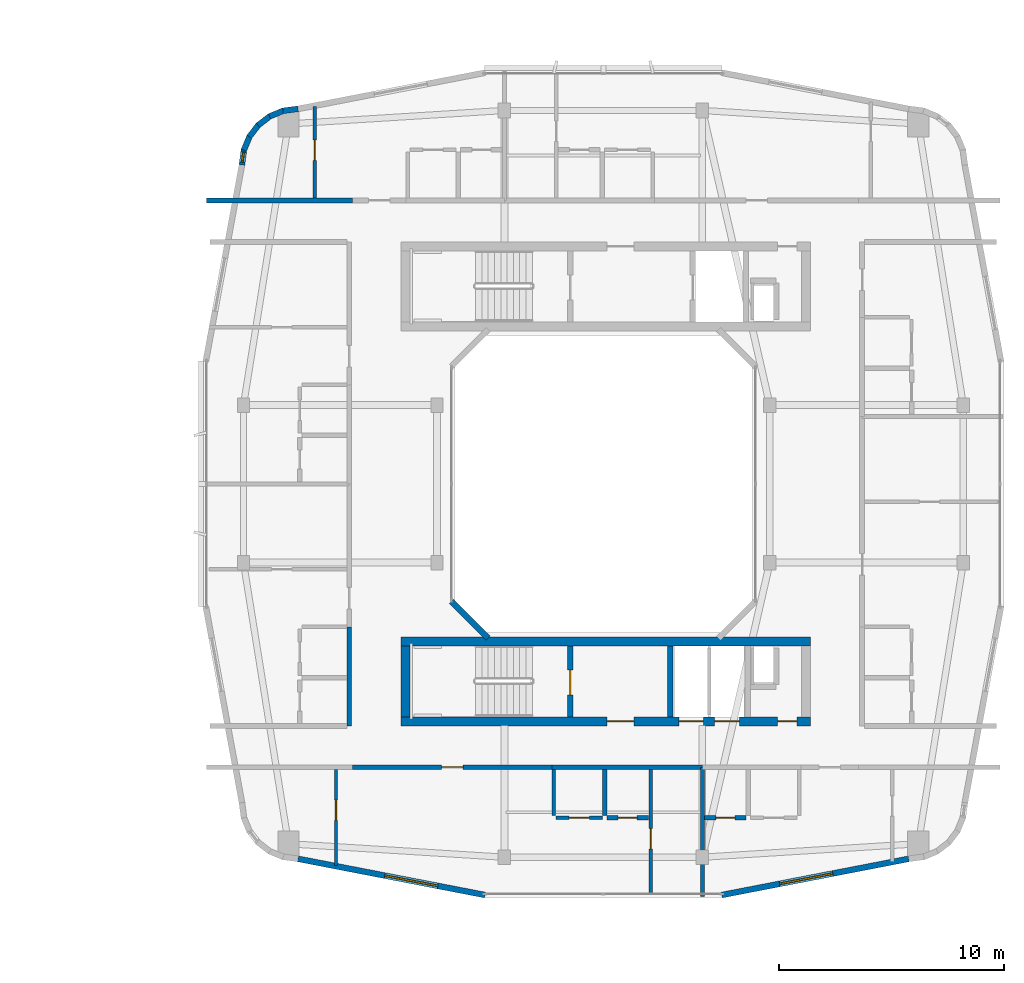
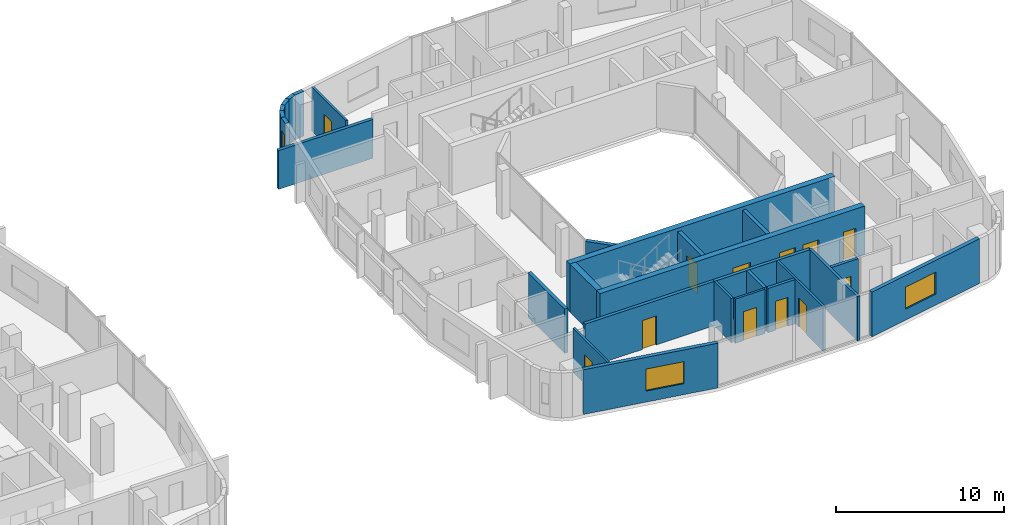
# One storey, part 17 of 26: 27 walls, 12 doors, 3 windows, 15 openings.
"""IFC4 building model written with IfcOpenShell, lengths in metres."""

from ifc_helpers import new_model, si_unit, derived_unit, direction, frame, frame_2d, origin, place, context, subcontext, project, spatial, rectangle, extrude, material, layer, layer_set, type_object, element, fill, save


model = new_model("IFC4")

# Units and contexts
model_context = context("Model", 3, precision=1e-05, world=origin(), true_north=direction((0.0, 1.0)))
body_context = subcontext(model_context, "Body", "Model", "MODEL_VIEW")
ifc_project = project(units=[si_unit("LENGTHUNIT", "METRE"), si_unit("AREAUNIT", "SQUARE_METRE"), si_unit("VOLUMEUNIT", "CUBIC_METRE"), si_unit("PLANEANGLEUNIT", "RADIAN"), si_unit("MASSUNIT", "GRAM", prefix="KILO"), derived_unit("THERMALTRANSMITTANCEUNIT", [(si_unit("POWERUNIT", "WATT"), 1), (si_unit("LENGTHUNIT", "METRE"), -2), (si_unit("THERMODYNAMICTEMPERATUREUNIT", "KELVIN"), -1)])], contexts=[model_context])

# Site, building, storey
site_placement = place(None, origin())
site = spatial("IfcSite", under=ifc_project, at=site_placement, CompositionType="ELEMENT")
building_placement = place(site_placement, origin())
building = spatial("IfcBuilding", under=site, at=building_placement, Name="Kivonza Crest Hotel", CompositionType="ELEMENT")
storey_placement = place(building_placement, frame((0.0, 0.0, 127.5)))
storey = spatial("IfcBuildingStorey", under=building, at=storey_placement, Name="L34", CompositionType="ELEMENT", Elevation=127.5)

# Walls
ifc_material_1 = material(Name="High-density acoustic masonry inter-tenancy wall", Category="masonry")
ifc_layer_1 = layer(ifc_material_1, 0.179931640625)
ifc_layer_set_1 = layer_set([ifc_layer_1], Name="High-density acoustic masonry inter-tenancy wall")
wall_type_1 = type_object("IfcWallType", Name="WL-ACOU-180", PredefinedType="SOLIDWALL", material=ifc_layer_set_1)
wall_1_placement = place(storey_placement, frame((81.39990234375, 6.659912109375, 0.0), z_axis=(0.0, 0.0, 1.0), x_axis=(0.0, 1.0, 0.0)))
element("IfcWall", 1, at=wall_1_placement, inside=storey, type_object=wall_type_1, Name="L34 interior partition WA-L34-T2S-DIV1", PredefinedType="SOLIDWALL", context=body_context, shape_type="SweptSolid", body=[
    extrude(rectangle(XDim=5.739990234375, YDim=0.179931640625, at=frame_2d((2.8701171875, 0.0))), origin(), (0.0, 0.0, 1.0), 3.219970703125),
])
ifc_material_2 = material(Name="Autoclaved aerated concrete blockwork", Category="masonry")
ifc_layer_2 = layer(ifc_material_2, 0.219970703125)
ifc_layer_set_2 = layer_set([ifc_layer_2], Name="Autoclaved aerated concrete blockwork")
wall_type_2 = type_object("IfcWallType", Name="WL-ACOU-220", PredefinedType="SOLIDWALL", material=ifc_layer_set_2)
wall_2_placement = place(storey_placement, frame((59.360107421875, 37.60009765625, 0.0), z_axis=(0.0, 0.0, 1.0), x_axis=(1.0, 0.0, 0.0)))
element("IfcWall", 2, at=wall_2_placement, inside=storey, type_object=wall_type_2, Name="L34 interior partition WA-L34-A01-LCORR", PredefinedType="SOLIDWALL", context=body_context, shape_type="SweptSolid", body=[
    extrude(rectangle(XDim=6.489990234375, YDim=0.219970703125, at=frame_2d((3.2451171875, 0.0))), origin(), (0.0, 0.0, 1.0), 2.81494140625),
])
wall_3_placement = place(storey_placement, frame((74.719970703125, 12.39990234375, 0.0), z_axis=(0.0, 0.0, 1.0), x_axis=(1.0, 0.0, 0.0)))
element("IfcWall", 3, at=wall_3_placement, inside=storey, type_object=wall_type_2, Name="L34 interior partition WA-L34-A03-RCORR", PredefinedType="SOLIDWALL", context=body_context, shape_type="SweptSolid", body=[
    extrude(rectangle(XDim=6.679931640625, YDim=0.219970703125, at=frame_2d((3.33984375, 0.0))), origin(), (0.0, 0.0, 1.0), 3.219970703125),
])

# Wall, opening, door
wall_4_placement = place(storey_placement, frame((65.85009765625, 12.39990234375, 0.0), z_axis=(0.0, 0.0, 1.0), x_axis=(1.0, 0.0, 0.0)))
wall_4 = element("IfcWall", 4, at=wall_4_placement, inside=storey, type_object=wall_type_2, Name="L34 interior partition WA-L34-A03-MCORR", PredefinedType="SOLIDWALL", context=body_context, shape_type="SweptSolid", body=[
    extrude(rectangle(XDim=8.869873046875, YDim=0.219970703125, at=frame_2d((4.43505859375, 0.0))), origin(), (0.0, 0.0, 1.0), 3.219970703125),
])
opening_1_placement = place(wall_4_placement, frame((3.9599609375, 0.0, 0.0)))
opening_1 = element("IfcOpeningElement", 5, at=opening_1_placement, cuts=wall_4, Name="Opening DU-60", PredefinedType="OPENING", context=body_context, shape_type="SweptSolid", body=[
    extrude(rectangle(XDim=0.949951171875, YDim=2.10009765625, at=frame_2d((0.47509765625, 1.050048828125))), frame((0.0, 0.1201171875, 0.0), z_axis=(0.0, -1.0, 0.0), x_axis=(1.0, 0.0, 0.0)), (0.0, 0.0, 1.0), 0.239990234375),
])
ifc_material_3 = material(Name="Hardwood timber oak", Category="wood")
door_type_1 = type_object("IfcDoorType", Name="DR-UNIT-950", OperationType="NOTDEFINED", PredefinedType="DOOR", material=ifc_material_3)
door_1_placement = place(opening_1_placement, frame((0.949951171875, 0.0, 0.0), z_axis=(0.0, 0.0, 1.0), x_axis=(-1.0, 0.0, 0.0)))
door_1 = element("IfcDoor", 6, at=door_1_placement, inside=storey, type_object=door_type_1, Name="L34 A03 apartment entrance fire door", OperationType="SINGLE_SWING_LEFT", OverallHeight=2.10009765625, OverallWidth=0.949951171875, PredefinedType="DOOR", context=body_context, shape_type="SweptSolid", body=[
    extrude(rectangle(XDim=0.949951171875, YDim=2.10009765625, at=frame_2d((0.47509765625, 1.050048828125))), frame((0.0, 0.02490234375, 0.0), z_axis=(0.0, -1.0, 0.0), x_axis=(1.0, 0.0, 0.0)), (0.0, 0.0, 1.0), 0.050048828125),
])
fill(opening_1, door_1)

# Wall
wall_5_placement = place(storey_placement, frame((65.699951171875, 14.239990234375, 0.0), z_axis=(0.0, 0.0, 1.0), x_axis=(0.0, 1.0, 0.0)))
element("IfcWall", 7, at=wall_5_placement, inside=storey, type_object=wall_type_2, Name="L34 interior partition WA-L34-A05-BCORR", PredefinedType="SOLIDWALL", context=body_context, shape_type="SweptSolid", body=[
    extrude(rectangle(XDim=4.39990234375, YDim=0.219970703125, at=frame_2d((2.199951171875, 0.0))), origin(), (0.0, 0.0, 1.0), 3.219970703125),
])

# Wall, openings, doors
ifc_material_4 = material(Name="Concrete C50/60", Category="concrete")
ifc_layer_3 = layer(ifc_material_4, 0.39990234375)
ifc_layer_set_3 = layer_set([ifc_layer_3], Name="Concrete C50/60")
wall_type_3 = type_object("IfcWallType", Name="WL-CORE-400", PredefinedType="SHEAR", material=ifc_layer_set_3)
wall_6_placement = place(storey_placement, frame((68.0, 14.43994140625, 0.0), z_axis=(0.0, 0.0, 1.0), x_axis=(1.0, 0.0, 0.0)))
wall_6 = element("IfcWall", 8, at=wall_6_placement, inside=storey, type_object=wall_type_3, Name="Core wall T2-S South L34", PredefinedType="SHEAR", context=body_context, shape_type="SweptSolid", body=[
    extrude(rectangle(XDim=18.199951171875, YDim=0.39990234375, at=frame_2d((9.10009765625, 0.0))), origin(), (0.0, 0.0, 1.0), 3.5),
])
opening_2_placement = place(wall_6_placement, frame((9.14990234375, 0.0, 0.0)))
opening_2 = element("IfcOpeningElement", 9, at=opening_2_placement, cuts=wall_6, Name="Opening DF-60", PredefinedType="OPENING", context=body_context, shape_type="SweptSolid", body=[
    extrude(rectangle(XDim=1.199951171875, YDim=2.14990234375, at=frame_2d((0.60009765625, 1.074951171875))), frame((0.0, 0.2099609375, 0.0), z_axis=(0.0, -1.0, 0.0), x_axis=(1.0, 0.0, 0.0)), (0.0, 0.0, 1.0), 0.419921875),
])
opening_3_placement = place(wall_6_placement, frame((16.75, 0.0, 0.0)))
opening_3 = element("IfcOpeningElement", 10, at=opening_3_placement, cuts=wall_6, Name="Opening DF-60R", PredefinedType="OPENING", context=body_context, shape_type="SweptSolid", body=[
    extrude(rectangle(XDim=0.85009765625, YDim=2.10009765625, at=frame_2d((0.425048828125, 1.050048828125))), frame((0.0, 0.2099609375, 0.0), z_axis=(0.0, -1.0, 0.0), x_axis=(1.0, 0.0, 0.0)), (0.0, 0.0, 1.0), 0.419921875),
])
opening_4_placement = place(wall_6_placement, frame((12.35009765625, 0.0, 0.0)))
opening_4 = element("IfcOpeningElement", 11, at=opening_4_placement, cuts=wall_6, Name="Opening LD-120", PredefinedType="OPENING", context=body_context, shape_type="SweptSolid", body=[
    extrude(rectangle(XDim=1.10009765625, YDim=2.14990234375, at=frame_2d((0.550048828125, 1.074951171875))), frame((0.0, 0.2099609375, 0.0), z_axis=(0.0, -1.0, 0.0), x_axis=(1.0, 0.0, 0.0)), (0.0, 0.0, 1.0), 0.419921875),
])
opening_5_placement = place(wall_6_placement, frame((13.949951171875, 0.0, 0.0)))
opening_5 = element("IfcOpeningElement", 12, at=opening_5_placement, cuts=wall_6, Name="Opening LD-120", PredefinedType="OPENING", context=body_context, shape_type="SweptSolid", body=[
    extrude(rectangle(XDim=1.10009765625, YDim=2.14990234375, at=frame_2d((0.550048828125, 1.074951171875))), frame((0.0, 0.2099609375, 0.0), z_axis=(0.0, -1.0, 0.0), x_axis=(1.0, 0.0, 0.0)), (0.0, 0.0, 1.0), 0.419921875),
])
door_type_2 = type_object("IfcDoorType", Name="DR-FD60-1200", OperationType="NOTDEFINED", PredefinedType="DOOR", material=ifc_material_3)
door_2_placement = place(opening_2_placement, frame((1.199951171875, 0.0, 0.0), z_axis=(0.0, 0.0, 1.0), x_axis=(-1.0, 0.0, 0.0)))
door_2 = element("IfcDoor", 13, at=door_2_placement, inside=storey, type_object=door_type_2, Name="L34 T2-S firefighting lobby fire door", OperationType="SINGLE_SWING_LEFT", OverallHeight=2.14990234375, OverallWidth=1.199951171875, PredefinedType="DOOR", context=body_context, shape_type="SweptSolid", body=[
    extrude(rectangle(XDim=1.199951171875, YDim=2.14990234375, at=frame_2d((0.60009765625, 1.074951171875))), frame((0.0, 0.02490234375, 0.0), z_axis=(0.0, -1.0, 0.0), x_axis=(1.0, 0.0, 0.0)), (0.0, 0.0, 1.0), 0.050048828125),
])
fill(opening_2, door_2)
door_type_3 = type_object("IfcDoorType", Name="DR-FD60-850", OperationType="NOTDEFINED", PredefinedType="DOOR", material=ifc_material_3)
door_3_placement = place(opening_3_placement, frame((0.85009765625, 0.0, 0.0), z_axis=(0.0, 0.0, 1.0), x_axis=(-1.0, 0.0, 0.0)))
door_3 = element("IfcDoor", 14, at=door_3_placement, inside=storey, type_object=door_type_3, Name="L34 T2-S core room door", OperationType="SINGLE_SWING_RIGHT", OverallHeight=2.10009765625, OverallWidth=0.85009765625, PredefinedType="DOOR", context=body_context, shape_type="SweptSolid", body=[
    extrude(rectangle(XDim=0.85009765625, YDim=2.10009765625, at=frame_2d((0.425048828125, 1.050048828125))), frame((0.0, 0.02490234375, 0.0), z_axis=(0.0, -1.0, 0.0), x_axis=(1.0, 0.0, 0.0)), (0.0, 0.0, 1.0), 0.050048828125),
])
fill(opening_3, door_3)
ifc_material_5 = material(Name="Stainless steel", Category="steel")
door_type_4 = type_object("IfcDoorType", Name="DR-LD120-1100", OperationType="NOTDEFINED", PredefinedType="DOOR", material=ifc_material_5)
door_4_placement = place(opening_4_placement, frame((1.10009765625, 0.0, 0.0), z_axis=(0.0, 0.0, 1.0), x_axis=(-1.0, 0.0, 0.0)))
door_4 = element("IfcDoor", 15, at=door_4_placement, inside=storey, type_object=door_type_4, Name="L34 PL-T2-1 passenger lift sliding landing door", OperationType="DOUBLE_DOOR_SLIDING", OverallHeight=2.14990234375, OverallWidth=1.10009765625, PredefinedType="DOOR", context=body_context, shape_type="SweptSolid", body=[
    extrude(rectangle(XDim=1.10009765625, YDim=2.14990234375, at=frame_2d((0.550048828125, 1.074951171875))), frame((0.0, 0.02490234375, 0.0), z_axis=(0.0, -1.0, 0.0), x_axis=(1.0, 0.0, 0.0)), (0.0, 0.0, 1.0), 0.050048828125),
])
fill(opening_4, door_4)
door_5_placement = place(opening_5_placement, frame((1.10009765625, 0.0, 0.0), z_axis=(0.0, 0.0, 1.0), x_axis=(-1.0, 0.0, 0.0)))
door_5 = element("IfcDoor", 16, at=door_5_placement, inside=storey, type_object=door_type_4, Name="L34 PL-T2-2 passenger lift sliding landing door", OperationType="DOUBLE_DOOR_SLIDING", OverallHeight=2.14990234375, OverallWidth=1.10009765625, PredefinedType="DOOR", context=body_context, shape_type="SweptSolid", body=[
    extrude(rectangle(XDim=1.10009765625, YDim=2.14990234375, at=frame_2d((0.550048828125, 1.074951171875))), frame((0.0, 0.02490234375, 0.0), z_axis=(0.0, -1.0, 0.0), x_axis=(1.0, 0.0, 0.0)), (0.0, 0.0, 1.0), 0.050048828125),
])
fill(opening_5, door_5)

# Walls
wall_7_placement = place(storey_placement, frame((68.0, 18.0, 0.0), z_axis=(0.0, 0.0, 1.0), x_axis=(1.0, 0.0, 0.0)))
element("IfcWall", 17, at=wall_7_placement, inside=storey, type_object=wall_type_3, Name="Core wall T2-S North L34", PredefinedType="SHEAR", context=body_context, shape_type="SweptSolid", body=[
    extrude(rectangle(XDim=18.199951171875, YDim=0.39990234375, at=frame_2d((9.10009765625, 0.0))), origin(), (0.0, 0.0, 1.0), 3.5),
])
wall_8_placement = place(storey_placement, frame((68.199951171875, 14.639892578125, 0.0), z_axis=(0.0, 0.0, 1.0), x_axis=(0.0, 1.0, 0.0)))
element("IfcWall", 18, at=wall_8_placement, inside=storey, type_object=wall_type_3, Name="Core wall T2-S West L34", PredefinedType="SHEAR", context=body_context, shape_type="SweptSolid", body=[
    extrude(rectangle(XDim=3.16015625, YDim=0.39990234375, at=frame_2d((1.580078125, 0.0))), origin(), (0.0, 0.0, 1.0), 3.5),
])

# Wall, opening, window
ifc_material_6 = material(Name="Precast concrete C40/50", Category="concrete")
ifc_layer_4 = layer(ifc_material_6, 0.260009765625)
ifc_layer_set_4 = layer_set([ifc_layer_4], Name="Precast concrete C40/50")
wall_type_4 = type_object("IfcWallType", Name="WL-EXT-260", PredefinedType="STANDARD", material=ifc_layer_set_4)
wall_9_placement = place(storey_placement, frame((63.4169921875, 8.330078125, 0.0), z_axis=(0.0, 0.0, 1.0), x_axis=(0.981750199588, -0.190175039396, 0.0)))
wall_9 = element("IfcWall", 19, at=wall_9_placement, inside=storey, type_object=wall_type_4, Name="L34 T2 exterior insulated wall 7", PredefinedType="STANDARD", context=body_context, shape_type="SweptSolid", body=[
    extrude(rectangle(XDim=8.476806640625, YDim=0.260009765625, at=frame_2d((4.23828125, 0.0))), origin(), (0.0, 0.0, 1.0), 3.25),
])
opening_6_placement = place(wall_9_placement, frame((3.93701171875, 0.0, 0.800048828125)))
opening_6 = element("IfcOpeningElement", 20, at=opening_6_placement, cuts=wall_9, Name="Opening WN-05", PredefinedType="OPENING", context=body_context, shape_type="SweptSolid", body=[
    extrude(rectangle(XDim=2.39990234375, YDim=1.60009765625, at=frame_2d((1.199951171875, 0.800048828125))), frame((0.0, 0.14013671875, 0.0), z_axis=(0.0, -1.0, 0.0), x_axis=(1.0, 0.0, 0.0)), (0.0, 0.0, 1.0), 0.280029296875),
])
ifc_material_7 = material(Name="Thermally broken bronze aluminium and low-E double glazing", Category="aluminium")
window_type_1 = type_object("IfcWindowType", Name="WN-240x160", PartitioningType="TRIPLE_PANEL_VERTICAL", PredefinedType="WINDOW", material=ifc_material_7)
window_1_placement = place(opening_6_placement, origin())
window_1 = element("IfcWindow", 21, at=window_1_placement, inside=storey, type_object=window_type_1, Name="L34 T2 facade window 7", OverallHeight=1.60009765625, OverallWidth=2.39990234375, PartitioningType="SINGLE_PANEL", PredefinedType="WINDOW", context=body_context, shape_type="SweptSolid", body=[
    extrude(rectangle(XDim=2.39990234375, YDim=1.60009765625, at=frame_2d((1.199951171875, 0.800048828125))), frame((0.0, 0.030029296875, 0.0), z_axis=(0.0, -1.0, 0.0), x_axis=(1.0, 0.0, 0.0)), (0.0, 0.0, 1.0), 0.06005859375),
])
fill(opening_6, window_1)

wall_10_placement = place(storey_placement, frame((82.260986328125, 6.718017578125, 0.0), z_axis=(0.0, 0.0, 1.0), x_axis=(0.981750199588, 0.190175039396, 0.0)))
wall_10 = element("IfcWall", 22, at=wall_10_placement, inside=storey, type_object=wall_type_4, Name="L34 T2 exterior insulated wall 9", PredefinedType="STANDARD", context=body_context, shape_type="SweptSolid", body=[
    extrude(rectangle(XDim=8.476806640625, YDim=0.260009765625, at=frame_2d((4.23828125, 0.0))), origin(), (0.0, 0.0, 1.0), 3.25),
])
opening_7_placement = place(wall_10_placement, frame((2.623046875, 0.0, 0.800048828125)))
opening_7 = element("IfcOpeningElement", 23, at=opening_7_placement, cuts=wall_10, Name="Opening WN-05", PredefinedType="OPENING", context=body_context, shape_type="SweptSolid", body=[
    extrude(rectangle(XDim=2.39990234375, YDim=1.60009765625, at=frame_2d((1.199951171875, 0.800048828125))), frame((0.0, 0.14013671875, 0.0), z_axis=(0.0, -1.0, 0.0), x_axis=(1.0, 0.0, 0.0)), (0.0, 0.0, 1.0), 0.280029296875),
])
window_2_placement = place(opening_7_placement, origin())
window_2 = element("IfcWindow", 24, at=window_2_placement, inside=storey, type_object=window_type_1, Name="L34 T2 facade window 9", OverallHeight=1.60009765625, OverallWidth=2.39990234375, PartitioningType="SINGLE_PANEL", PredefinedType="WINDOW", context=body_context, shape_type="SweptSolid", body=[
    extrude(rectangle(XDim=2.39990234375, YDim=1.60009765625, at=frame_2d((1.199951171875, 0.800048828125))), frame((0.0, 0.030029296875, 0.0), z_axis=(0.0, -1.0, 0.0), x_axis=(1.0, 0.0, 0.0)), (0.0, 0.0, 1.0), 0.06005859375),
])
fill(opening_7, window_2)

# Walls
wall_11_placement = place(storey_placement, frame((63.425048828125, 41.672119140625, 0.0), z_axis=(0.0, 0.0, 1.0), x_axis=(-0.991300187529, -0.13162043232, 0.0)))
element("IfcWall", 25, at=wall_11_placement, inside=storey, type_object=wall_type_4, Name="L34 T2 exterior insulated wall 28", PredefinedType="STANDARD", context=body_context, shape_type="SweptSolid", body=[
    extrude(rectangle(XDim=0.677001953125, YDim=0.260009765625, at=frame_2d((0.33837890625, 0.0))), origin(), (0.0, 0.0, 1.0), 3.25),
])
for number, where, z_axis, x_axis, name in (
    (26, (62.800048828125, 41.60107421875, 0.0), (0.0, 0.0, 1.0), (-0.924093981904, -0.382165294877, 0.0), "L34 T2 exterior insulated wall 29"),
    (27, (62.198974609375, 41.364013671875, 0.0), (0.0, 0.0, 1.0), (-0.792637067512, -0.609693758543, 0.0), "L34 T2 exterior insulated wall 30"),
    (28, (61.679931640625, 40.97900390625, 0.0), (0.0, 0.0, 1.0), (-0.609472651958, -0.792807092876, 0.0), "L34 T2 exterior insulated wall 31"),
):
    element("IfcWall", number, at=place(storey_placement, frame(where, z_axis=z_axis, x_axis=x_axis)), inside=storey, type_object=wall_type_4, Name=name, PredefinedType="STANDARD", context=body_context, shape_type="SweptSolid", body=[
        extrude(rectangle(XDim=0.69384765625, YDim=0.260009765625, at=frame_2d((0.346923828125, 0.0))), origin(), (0.0, 0.0, 1.0), 3.25),
    ])
wall_12_placement = place(storey_placement, frame((61.278076171875, 40.472900390625, 0.0), z_axis=(0.0, 0.0, 1.0), x_axis=(-0.382289608286, -0.924042561464, 0.0)))
element("IfcWall", 29, at=wall_12_placement, inside=storey, type_object=wall_type_4, Name="L34 T2 exterior insulated wall 32", PredefinedType="STANDARD", context=body_context, shape_type="SweptSolid", body=[
    extrude(rectangle(XDim=0.693603515625, YDim=0.260009765625, at=frame_2d((0.3466796875, 0.0))), origin(), (0.0, 0.0, 1.0), 3.25),
])

# Wall, opening, window
wall_13_placement = place(storey_placement, frame((61.02099609375, 39.881103515625, 0.0), z_axis=(0.0, 0.0, 1.0), x_axis=(-0.130614135366, -0.991433279471, 0.0)))
wall_13 = element("IfcWall", 30, at=wall_13_placement, inside=storey, type_object=wall_type_4, Name="L34 T2 exterior insulated wall 33", PredefinedType="STANDARD", context=body_context, shape_type="SweptSolid", body=[
    extrude(rectangle(XDim=0.712158203125, YDim=0.260009765625, at=frame_2d((0.35595703125, 0.0))), origin(), (0.0, 0.0, 1.0), 3.25),
])
opening_8_placement = place(wall_13_placement, frame((0.131103515625, 0.0, 0.85009765625)))
opening_8 = element("IfcOpeningElement", 31, at=opening_8_placement, cuts=wall_13, Name="Opening WN-11", PredefinedType="OPENING", context=body_context, shape_type="SweptSolid", body=[
    extrude(rectangle(XDim=0.449951171875, YDim=1.5, at=frame_2d((0.22509765625, 0.75))), frame((0.0, 0.14013671875, 0.0), z_axis=(0.0, -1.0, 0.0), x_axis=(1.0, 0.0, 0.0)), (0.0, 0.0, 1.0), 0.280029296875),
])
window_type_2 = type_object("IfcWindowType", Name="WN-045x150", PartitioningType="SINGLE_PANEL", PredefinedType="WINDOW", material=ifc_material_7)
window_3_placement = place(opening_8_placement, origin())
window_3 = element("IfcWindow", 32, at=window_3_placement, inside=storey, type_object=window_type_2, Name="L34 corner vision window 4", OverallHeight=1.5, OverallWidth=0.449951171875, PartitioningType="SINGLE_PANEL", PredefinedType="WINDOW", context=body_context, shape_type="SweptSolid", body=[
    extrude(rectangle(XDim=0.449951171875, YDim=1.5, at=frame_2d((0.22509765625, 0.75))), frame((0.0, 0.030029296875, 0.0), z_axis=(0.0, -1.0, 0.0), x_axis=(1.0, 0.0, 0.0)), (0.0, 0.0, 1.0), 0.06005859375),
])
fill(opening_8, window_3)

# Wall
wall_14_placement = place(storey_placement, frame((70.243896484375, 19.77197265625, 0.0), z_axis=(0.0, 0.0, 1.0), x_axis=(0.707106781187, -0.707106781187, 0.0)))
element("IfcWall", 33, at=wall_14_placement, inside=storey, type_object=wall_type_4, Name="L34 T2 light-well exterior wall 8", PredefinedType="STANDARD", context=body_context, shape_type="SweptSolid", body=[
    extrude(rectangle(XDim=2.310791015625, YDim=0.260009765625, at=frame_2d((1.1552734375, 0.0))), origin(), (0.0, 0.0, 1.0), 3.25),
])

# Wall, opening, door
ifc_material_8 = material(Name="Twin-stud acoustic gypsum board partition", Category="gypsum")
ifc_layer_5 = layer(ifc_material_8, 0.14990234375)
ifc_layer_set_5 = layer_set([ifc_layer_5], Name="Twin-stud acoustic gypsum board partition")
wall_type_5 = type_object("IfcWallType", Name="WL-PART-150", PredefinedType="PARTITIONING", material=ifc_layer_set_5)
wall_15_placement = place(storey_placement, frame((64.159912109375, 37.699951171875, 0.0), z_axis=(0.0, 0.0, 1.0), x_axis=(0.0, 1.0, 0.0)))
wall_15 = element("IfcWall", 34, at=wall_15_placement, inside=storey, type_object=wall_type_5, Name="L34 interior partition WP-L34-A01-BDW1", PredefinedType="PARTITIONING", context=body_context, shape_type="SweptSolid", body=[
    extrude(rectangle(XDim=4.0859375, YDim=0.14990234375, at=frame_2d((2.04296875, 0.0))), origin(), (0.0, 0.0, 1.0), 3.219970703125),
])
opening_9_placement = place(wall_15_placement, frame((1.679931640625, 0.0, 0.0)))
opening_9 = element("IfcOpeningElement", 35, at=opening_9_placement, cuts=wall_15, Name="Opening DI-90", PredefinedType="OPENING", context=body_context, shape_type="SweptSolid", body=[
    extrude(rectangle(XDim=0.89990234375, YDim=2.10009765625, at=frame_2d((0.449951171875, 1.050048828125))), frame((0.0, 0.0849609375, 0.0), z_axis=(0.0, -1.0, 0.0), x_axis=(1.0, 0.0, 0.0)), (0.0, 0.0, 1.0), 0.169921875),
])
door_type_5 = type_object("IfcDoorType", Name="DR-INT-900", OperationType="NOTDEFINED", PredefinedType="DOOR", material=ifc_material_3)
door_6_placement = place(opening_9_placement, origin())
door_6 = element("IfcDoor", 36, at=door_6_placement, inside=storey, type_object=door_type_5, Name="L34 A01 bedroom 1 door", OperationType="SINGLE_SWING_RIGHT", OverallHeight=2.10009765625, OverallWidth=0.89990234375, PredefinedType="DOOR", context=body_context, shape_type="SweptSolid", body=[
    extrude(rectangle(XDim=0.89990234375, YDim=2.10009765625, at=frame_2d((0.449951171875, 1.050048828125))), frame((0.0, 0.02490234375, 0.0), z_axis=(0.0, -1.0, 0.0), x_axis=(1.0, 0.0, 0.0)), (0.0, 0.0, 1.0), 0.050048828125),
])
fill(opening_9, door_6)

wall_16_placement = place(storey_placement, frame((65.110107421875, 8.030029296875, 0.0), z_axis=(0.0, 0.0, 1.0), x_axis=(0.0, 1.0, 0.0)))
wall_16 = element("IfcWall", 37, at=wall_16_placement, inside=storey, type_object=wall_type_5, Name="L34 interior partition WP-L34-A03-BDW1", PredefinedType="PARTITIONING", context=body_context, shape_type="SweptSolid", body=[
    extrude(rectangle(XDim=4.27001953125, YDim=0.14990234375, at=frame_2d((2.135009765625, 0.0))), origin(), (0.0, 0.0, 1.0), 3.219970703125),
])
opening_10_placement = place(wall_16_placement, frame((2.010009765625, 0.0, 0.0)))
opening_10 = element("IfcOpeningElement", 38, at=opening_10_placement, cuts=wall_16, Name="Opening DI-90", PredefinedType="OPENING", context=body_context, shape_type="SweptSolid", body=[
    extrude(rectangle(XDim=0.89990234375, YDim=2.10009765625, at=frame_2d((0.449951171875, 1.050048828125))), frame((0.0, 0.0849609375, 0.0), z_axis=(0.0, -1.0, 0.0), x_axis=(1.0, 0.0, 0.0)), (0.0, 0.0, 1.0), 0.169921875),
])
door_7_placement = place(opening_10_placement, origin())
door_7 = element("IfcDoor", 39, at=door_7_placement, inside=storey, type_object=door_type_5, Name="L34 A03 bedroom 1 door", OperationType="SINGLE_SWING_RIGHT", OverallHeight=2.10009765625, OverallWidth=0.89990234375, PredefinedType="DOOR", context=body_context, shape_type="SweptSolid", body=[
    extrude(rectangle(XDim=0.89990234375, YDim=2.10009765625, at=frame_2d((0.449951171875, 1.050048828125))), frame((0.0, 0.02490234375, 0.0), z_axis=(0.0, -1.0, 0.0), x_axis=(1.0, 0.0, 0.0)), (0.0, 0.0, 1.0), 0.050048828125),
])
fill(opening_10, door_7)

wall_17_placement = place(storey_placement, frame((79.10009765625, 6.760009765625, 0.0), z_axis=(0.0, 0.0, 1.0), x_axis=(0.0, 1.0, 0.0)))
wall_17 = element("IfcWall", 40, at=wall_17_placement, inside=storey, type_object=wall_type_5, Name="L34 interior partition WP-L34-A03-BDW2", PredefinedType="PARTITIONING", context=body_context, shape_type="SweptSolid", body=[
    extrude(rectangle(XDim=5.5400390625, YDim=0.14990234375, at=frame_2d((2.77001953125, 0.0))), origin(), (0.0, 0.0, 1.0), 3.219970703125),
])
opening_11_placement = place(wall_17_placement, frame((2.010009765625, 0.0, 0.0)))
opening_11 = element("IfcOpeningElement", 41, at=opening_11_placement, cuts=wall_17, Name="Opening DI-90", PredefinedType="OPENING", context=body_context, shape_type="SweptSolid", body=[
    extrude(rectangle(XDim=0.89990234375, YDim=2.10009765625, at=frame_2d((0.449951171875, 1.050048828125))), frame((0.0, 0.0849609375, 0.0), z_axis=(0.0, -1.0, 0.0), x_axis=(1.0, 0.0, 0.0)), (0.0, 0.0, 1.0), 0.169921875),
])
door_8_placement = place(opening_11_placement, origin())
door_8 = element("IfcDoor", 42, at=door_8_placement, inside=storey, type_object=door_type_5, Name="L34 A03 bedroom 2 door", OperationType="SINGLE_SWING_LEFT", OverallHeight=2.10009765625, OverallWidth=0.89990234375, PredefinedType="DOOR", context=body_context, shape_type="SweptSolid", body=[
    extrude(rectangle(XDim=0.89990234375, YDim=2.10009765625, at=frame_2d((0.449951171875, 1.050048828125))), frame((0.0, 0.02490234375, 0.0), z_axis=(0.0, -1.0, 0.0), x_axis=(1.0, 0.0, 0.0)), (0.0, 0.0, 1.0), 0.050048828125),
])
fill(opening_11, door_8)

# Wall
wall_18_placement = place(storey_placement, frame((74.800048828125, 10.25, 0.0), z_axis=(0.0, 0.0, 1.0), x_axis=(0.0, 1.0, 0.0)))
element("IfcWall", 43, at=wall_18_placement, inside=storey, type_object=wall_type_5, Name="L34 interior partition WP-L34-A03-KF", PredefinedType="PARTITIONING", context=body_context, shape_type="SweptSolid", body=[
    extrude(rectangle(XDim=2.050048828125, YDim=0.14990234375, at=frame_2d((1.02490234375, 0.0))), origin(), (0.0, 0.0, 1.0), 3.219970703125),
])

# Wall, opening, door
wall_19_placement = place(storey_placement, frame((74.89990234375, 10.14990234375, 0.0), z_axis=(0.0, 0.0, 1.0), x_axis=(1.0, 0.0, 0.0)))
wall_19 = element("IfcWall", 44, at=wall_19_placement, inside=storey, type_object=wall_type_5, Name="L34 interior partition WP-L34-A03-KSVC", PredefinedType="PARTITIONING", context=body_context, shape_type="SweptSolid", body=[
    extrude(rectangle(XDim=2.050048828125, YDim=0.14990234375, at=frame_2d((1.02490234375, 0.0))), origin(), (0.0, 0.0, 1.0), 3.219970703125),
])
opening_12_placement = place(wall_19_placement, frame((0.574951171875, 0.0, 0.0)))
opening_12 = element("IfcOpeningElement", 45, at=opening_12_placement, cuts=wall_19, Name="Opening DI-90", PredefinedType="OPENING", context=body_context, shape_type="SweptSolid", body=[
    extrude(rectangle(XDim=0.89990234375, YDim=2.10009765625, at=frame_2d((0.449951171875, 1.050048828125))), frame((0.0, 0.0849609375, 0.0), z_axis=(0.0, -1.0, 0.0), x_axis=(1.0, 0.0, 0.0)), (0.0, 0.0, 1.0), 0.169921875),
])
door_9_placement = place(opening_12_placement, frame((0.89990234375, 0.0, 0.0), z_axis=(0.0, 0.0, 1.0), x_axis=(-1.0, 0.0, 0.0)))
door_9 = element("IfcDoor", 46, at=door_9_placement, inside=storey, type_object=door_type_5, Name="L34 A03 apartment kitchen door", OperationType="SINGLE_SWING_LEFT", OverallHeight=2.10009765625, OverallWidth=0.89990234375, PredefinedType="DOOR", context=body_context, shape_type="SweptSolid", body=[
    extrude(rectangle(XDim=0.89990234375, YDim=2.10009765625, at=frame_2d((0.449951171875, 1.050048828125))), frame((0.0, 0.02490234375, 0.0), z_axis=(0.0, -1.0, 0.0), x_axis=(1.0, 0.0, 0.0)), (0.0, 0.0, 1.0), 0.050048828125),
])
fill(opening_12, door_9)

# Wall
ifc_material_9 = material(Name="Moisture-resistant plumbing chase partition wall", Category="gypsum")
ifc_layer_6 = layer(ifc_material_9, 0.199951171875)
ifc_layer_set_6 = layer_set([ifc_layer_6], Name="Moisture-resistant plumbing chase partition wall")
wall_type_6 = type_object("IfcWallType", Name="WL-PLUMB-200", PredefinedType="PLUMBINGWALL", material=ifc_layer_set_6)
wall_20_placement = place(storey_placement, frame((77.050048828125, 10.25, 0.0), z_axis=(0.0, 0.0, 1.0), x_axis=(0.0, 1.0, 0.0)))
element("IfcWall", 47, at=wall_20_placement, inside=storey, type_object=wall_type_6, Name="L34 interior partition WW-L34-A03-BK", PredefinedType="PLUMBINGWALL", context=body_context, shape_type="SweptSolid", body=[
    extrude(rectangle(XDim=2.050048828125, YDim=0.199951171875, at=frame_2d((1.02490234375, 0.0))), origin(), (0.0, 0.0, 1.0), 3.219970703125),
])

# Wall, opening, door
wall_21_placement = place(storey_placement, frame((77.14990234375, 10.14990234375, 0.0), z_axis=(0.0, 0.0, 1.0), x_axis=(1.0, 0.0, 0.0)))
wall_21 = element("IfcWall", 48, at=wall_21_placement, inside=storey, type_object=wall_type_6, Name="L34 interior partition WW-L34-A03-BSVC", PredefinedType="PLUMBINGWALL", context=body_context, shape_type="SweptSolid", body=[
    extrude(rectangle(XDim=1.85009765625, YDim=0.199951171875, at=frame_2d((0.925048828125, 0.0))), origin(), (0.0, 0.0, 1.0), 3.219970703125),
])
opening_13_placement = place(wall_21_placement, frame((0.5, 0.0, 0.0)))
opening_13 = element("IfcOpeningElement", 49, at=opening_13_placement, cuts=wall_21, Name="Opening DI-85", PredefinedType="OPENING", context=body_context, shape_type="SweptSolid", body=[
    extrude(rectangle(XDim=0.85009765625, YDim=2.10009765625, at=frame_2d((0.425048828125, 1.050048828125))), frame((0.0, 0.10986328125, 0.0), z_axis=(0.0, -1.0, 0.0), x_axis=(1.0, 0.0, 0.0)), (0.0, 0.0, 1.0), 0.219970703125),
])
door_type_6 = type_object("IfcDoorType", Name="DR-INT-850", OperationType="NOTDEFINED", PredefinedType="DOOR", material=ifc_material_3)
door_10_placement = place(opening_13_placement, frame((0.85009765625, 0.0, 0.0), z_axis=(0.0, 0.0, 1.0), x_axis=(-1.0, 0.0, 0.0)))
door_10 = element("IfcDoor", 50, at=door_10_placement, inside=storey, type_object=door_type_6, Name="L34 A03 apartment bathroom door", OperationType="SINGLE_SWING_RIGHT", OverallHeight=2.10009765625, OverallWidth=0.85009765625, PredefinedType="DOOR", context=body_context, shape_type="SweptSolid", body=[
    extrude(rectangle(XDim=0.85009765625, YDim=2.10009765625, at=frame_2d((0.425048828125, 1.050048828125))), frame((0.0, 0.02490234375, 0.0), z_axis=(0.0, -1.0, 0.0), x_axis=(1.0, 0.0, 0.0)), (0.0, 0.0, 1.0), 0.050048828125),
])
fill(opening_13, door_10)

wall_22_placement = place(storey_placement, frame((81.5, 10.14990234375, 0.0), z_axis=(0.0, 0.0, 1.0), x_axis=(1.0, 0.0, 0.0)))
wall_22 = element("IfcWall", 51, at=wall_22_placement, inside=storey, type_object=wall_type_6, Name="L34 interior partition WW-L34-A04-BSVC", PredefinedType="PLUMBINGWALL", context=body_context, shape_type="SweptSolid", body=[
    extrude(rectangle(XDim=1.85009765625, YDim=0.199951171875, at=frame_2d((0.925048828125, 0.0))), origin(), (0.0, 0.0, 1.0), 3.219970703125),
])
opening_14_placement = place(wall_22_placement, frame((0.5, 0.0, 0.0)))
opening_14 = element("IfcOpeningElement", 52, at=opening_14_placement, cuts=wall_22, Name="Opening DI-85", PredefinedType="OPENING", context=body_context, shape_type="SweptSolid", body=[
    extrude(rectangle(XDim=0.85009765625, YDim=2.10009765625, at=frame_2d((0.425048828125, 1.050048828125))), frame((0.0, 0.10986328125, 0.0), z_axis=(0.0, -1.0, 0.0), x_axis=(1.0, 0.0, 0.0)), (0.0, 0.0, 1.0), 0.219970703125),
])
door_11_placement = place(opening_14_placement, frame((0.85009765625, 0.0, 0.0), z_axis=(0.0, 0.0, 1.0), x_axis=(-1.0, 0.0, 0.0)))
door_11 = element("IfcDoor", 53, at=door_11_placement, inside=storey, type_object=door_type_6, Name="L34 A04 apartment bathroom door", OperationType="SINGLE_SWING_LEFT", OverallHeight=2.10009765625, OverallWidth=0.85009765625, PredefinedType="DOOR", context=body_context, shape_type="SweptSolid", body=[
    extrude(rectangle(XDim=0.85009765625, YDim=2.10009765625, at=frame_2d((0.425048828125, 1.050048828125))), frame((0.0, 0.02490234375, 0.0), z_axis=(0.0, -1.0, 0.0), x_axis=(1.0, 0.0, 0.0)), (0.0, 0.0, 1.0), 0.050048828125),
])
fill(opening_14, door_11)

ifc_layer_7 = layer(ifc_material_4, 0.25)
ifc_layer_set_7 = layer_set([ifc_layer_7], Name="Concrete C50/60")
wall_type_7 = type_object("IfcWallType", Name="WL-SHAFT-250", PredefinedType="STANDARD", material=ifc_layer_set_7)
wall_23_placement = place(storey_placement, frame((75.52490234375, 14.639892578125, 0.0), z_axis=(0.0, 0.0, 1.0), x_axis=(0.0, 1.0, 0.0)))
wall_23 = element("IfcWall", 54, at=wall_23_placement, inside=storey, type_object=wall_type_7, Name="Core shaft wall T2-S STAIR L34", PredefinedType="STANDARD", context=body_context, shape_type="SweptSolid", body=[
    extrude(rectangle(XDim=3.16015625, YDim=0.25, at=frame_2d((1.580078125, 0.0))), origin(), (0.0, 0.0, 1.0), 3.25),
])
opening_15_placement = place(wall_23_placement, frame((0.97998046875, 0.0, 0.0)))
opening_15 = element("IfcOpeningElement", 55, at=opening_15_placement, cuts=wall_23, Name="Opening DF-120", PredefinedType="OPENING", context=body_context, shape_type="SweptSolid", body=[
    extrude(rectangle(XDim=1.10009765625, YDim=2.14990234375, at=frame_2d((0.550048828125, 1.074951171875))), frame((0.0, 0.135009765625, 0.0), z_axis=(0.0, -1.0, 0.0), x_axis=(1.0, 0.0, 0.0)), (0.0, 0.0, 1.0), 0.27001953125),
])
ifc_material_10 = material(Name="Galvanised steel", Category="steel")
door_type_7 = type_object("IfcDoorType", Name="DR-FD120-1100", OperationType="NOTDEFINED", PredefinedType="DOOR", material=ifc_material_10)
door_12_placement = place(opening_15_placement, frame((1.10009765625, 0.0, 0.0), z_axis=(0.0, 0.0, 1.0), x_axis=(-1.0, 0.0, 0.0)))
door_12 = element("IfcDoor", 56, at=door_12_placement, inside=storey, type_object=door_type_7, Name="L34 T2-S stair fire door", OperationType="SINGLE_SWING_RIGHT", OverallHeight=2.14990234375, OverallWidth=1.10009765625, PredefinedType="DOOR", context=body_context, shape_type="SweptSolid", body=[
    extrude(rectangle(XDim=1.10009765625, YDim=2.14990234375, at=frame_2d((0.550048828125, 1.074951171875))), frame((0.0, 0.02490234375, 0.0), z_axis=(0.0, -1.0, 0.0), x_axis=(1.0, 0.0, 0.0)), (0.0, 0.0, 1.0), 0.050048828125),
])
fill(opening_15, door_12)

# Wall
wall_24_placement = place(storey_placement, frame((79.97509765625, 14.639892578125, 0.0), z_axis=(0.0, 0.0, 1.0), x_axis=(0.0, 1.0, 0.0)))
element("IfcWall", 57, at=wall_24_placement, inside=storey, type_object=wall_type_7, Name="Core shaft wall T2-S BANK-W L34", PredefinedType="STANDARD", context=body_context, shape_type="SweptSolid", body=[
    extrude(rectangle(XDim=3.16015625, YDim=0.25, at=frame_2d((1.580078125, 0.0))), origin(), (0.0, 0.0, 1.0), 3.25),
])

save(model, "model.ifc")
